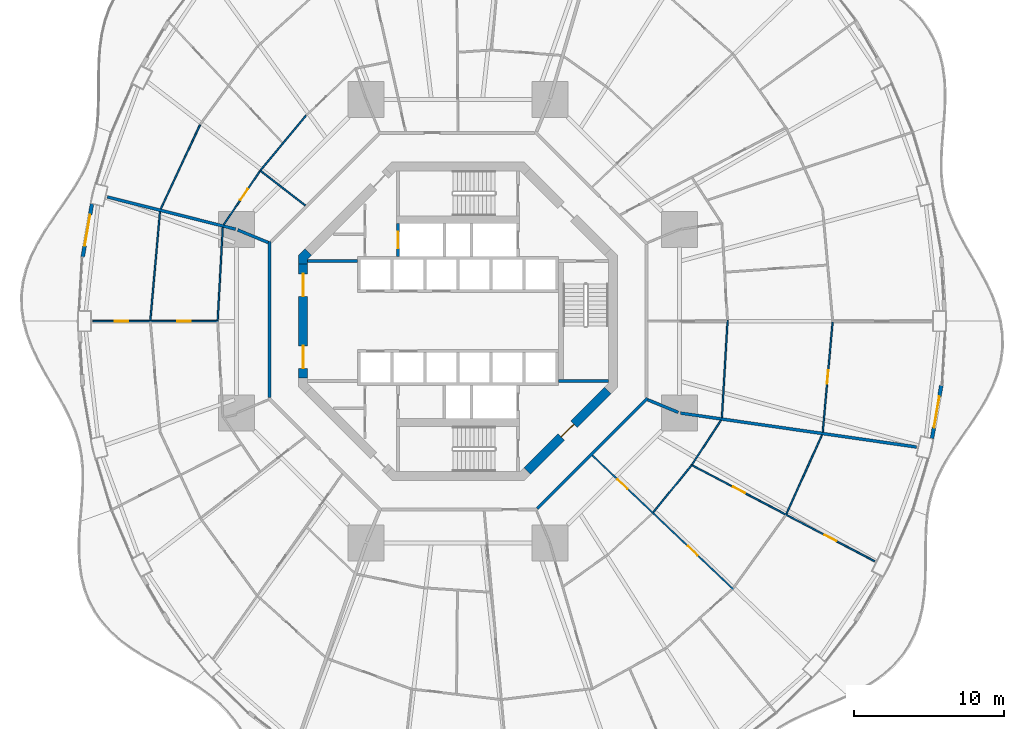
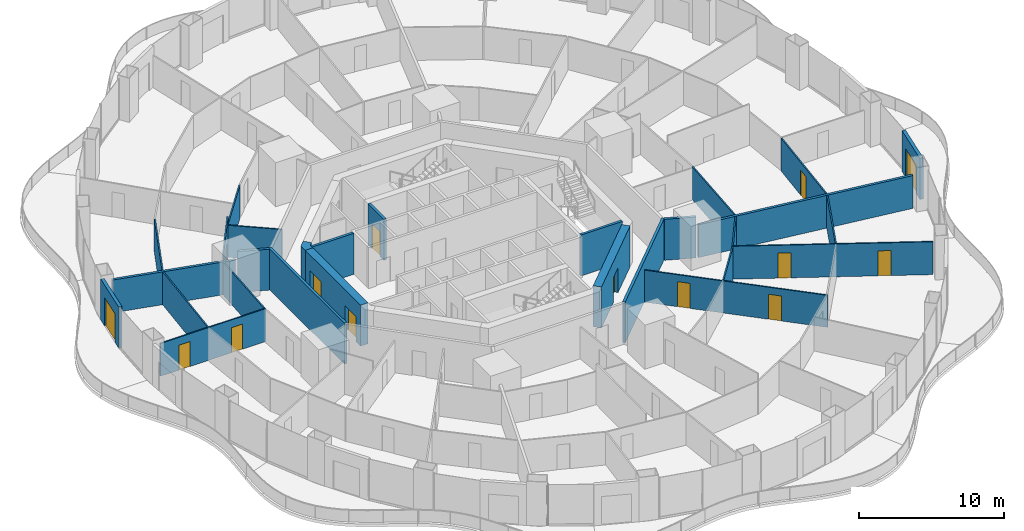
# One storey, part 16 of 22: 28 walls, 14 doors, 14 openings.
"""IFC4 building model written with IfcOpenShell, lengths in metres."""

import ifcopenshell
import ifcopenshell.guid

model = None  # the IFC model being written
_history = None  # IfcOwnerHistory: only IFC2X3 demands one
_inside = {}  # id of a spatial element -> (the spatial element, [elements in it])
_under = {}  # id of a project, library or spatial element -> (it, [spatial elements below it])
_declared = {}  # id of a project -> (the project, [libraries it declares])
_typed = {}  # id of a type object -> (the type object, [elements of that type])
_made_of = {}  # id of a material, layer set ... -> (it, [elements and type objects made of it])


def new_model(schema):
    """Start an empty IFC model of exactly this schema.

    Asked for "IFC4X3", IfcOpenShell would pick the latest addendum, in which some entities
    have other attributes; the version numbers below select the first issue.
    IFC2X3 requires an IfcOwnerHistory on every rooted entity: one is made here for all.
    """
    global model, _history
    if schema == "IFC4X3":
        model = ifcopenshell.file(schema_version=(4, 3, 0, 0))
    else:
        model = ifcopenshell.file(schema=schema)
    _inside.clear()
    _under.clear()
    _declared.clear()
    _typed.clear()
    _made_of.clear()
    _history = None
    if model.schema == "IFC2X3":
        org = make("IfcOrganization", Name="unknown")
        user = make(
            "IfcPersonAndOrganization",
            ThePerson=make("IfcPerson", FamilyName="unknown"),
            TheOrganization=org,
        )
        app = make(
            "IfcApplication",
            ApplicationDeveloper=org,
            Version="unknown",
            ApplicationFullName="unknown",
            ApplicationIdentifier="unknown",
        )
        _history = make(
            "IfcOwnerHistory",
            OwningUser=user,
            OwningApplication=app,
            ChangeAction="ADDED",
            CreationDate=0,
        )
    return model


def make(cls, **values):
    """One entity of the class cls with the attributes given. An attribute that is None is left unset."""
    return model.create_entity(
        cls, **{name: value for name, value in values.items() if value is not None}
    )


def rooted(cls, **values):
    """An entity with a GlobalId (a new one), such as an element, a storey or a relation."""
    return make(cls, GlobalId=ifcopenshell.guid.new(), OwnerHistory=_history, **values)


def si_unit(unit_type, name, prefix=None):
    """IfcSIUnit, for example si_unit("LENGTHUNIT", "METRE", prefix="MILLI")."""
    return make("IfcSIUnit", UnitType=unit_type, Prefix=prefix, Name=name)


def assignment(units):
    """IfcUnitAssignment: the units of a project."""
    return None if units is None else make("IfcUnitAssignment", Units=units)


def point(xyz):
    """IfcCartesianPoint."""
    return None if xyz is None else make("IfcCartesianPoint", Coordinates=xyz)


def direction(xyz):
    """IfcDirection."""
    return None if xyz is None else make("IfcDirection", DirectionRatios=xyz)


def frame(location, z_axis=None, x_axis=None):
    """IfcAxis2Placement3D, a coordinate frame: its origin and axes. An axis left out is left unset."""
    return make(
        "IfcAxis2Placement3D",
        Location=point(location),
        Axis=direction(z_axis),
        RefDirection=direction(x_axis),
    )


def frame_2d(location, x_axis=None):
    """IfcAxis2Placement2D, a coordinate frame in the plane: its origin and x axis."""
    return make(
        "IfcAxis2Placement2D", Location=point(location), RefDirection=direction(x_axis)
    )


def origin():
    """The frame at (0, 0, 0) with its axes left unset."""
    return frame((0.0, 0.0, 0.0))


def place(relative_to, where):
    """IfcLocalPlacement: puts the frame where relative to a parent placement (None: the world)."""
    return make(
        "IfcLocalPlacement", PlacementRelTo=relative_to, RelativePlacement=where
    )


def context(
    kind, dimensions, precision=None, world=None, true_north=None, identifier=None
):
    """IfcGeometricRepresentationContext, for example the 3D "Model" context."""
    return make(
        "IfcGeometricRepresentationContext",
        ContextIdentifier=identifier,
        ContextType=kind,
        CoordinateSpaceDimension=dimensions,
        Precision=precision,
        WorldCoordinateSystem=world,
        TrueNorth=true_north,
    )


def subcontext(parent, identifier, kind, view, scale=None):
    """IfcGeometricRepresentationSubContext, for example "Body" below "Model"."""
    return make(
        "IfcGeometricRepresentationSubContext",
        ContextIdentifier=identifier,
        ContextType=kind,
        ParentContext=parent,
        TargetScale=scale,
        TargetView=view,
    )


def project(units=None, contexts=None):
    """IfcProject with its units and contexts."""
    return rooted(
        "IfcProject",
        Name="project",
        RepresentationContexts=contexts,
        UnitsInContext=assignment(units),
    )


def spatial(cls, under=None, at=None, **own):
    """A site, building, storey or space (cls), placed at a placement, below another one or the project."""
    s = rooted(cls, ObjectPlacement=at, **own)
    if under is not None:
        _under.setdefault(under.id(), (under, []))[1].append(s)
    return s


def polyline(points):
    """IfcPolyline through the points."""
    return make("IfcPolyline", Points=[point(p) for p in points])


def profile(cls, at=None, kind="AREA", **sizes):
    """A parametric profile (cls). Its sizes go by their IFC names, for example OverallWidth=200.0."""
    return make(cls, ProfileType=kind, Position=at, **sizes)


def rectangle(**sizes):
    """IfcRectangleProfileDef."""
    return profile("IfcRectangleProfileDef", **sizes)


def outline(outer, holes=None, kind="AREA"):
    """IfcArbitraryClosedProfileDef: a profile drawn as a closed curve; with holes, ...WithVoids."""
    if holes is None:
        return make("IfcArbitraryClosedProfileDef", ProfileType=kind, OuterCurve=outer)
    return make(
        "IfcArbitraryProfileDefWithVoids",
        ProfileType=kind,
        OuterCurve=outer,
        InnerCurves=holes,
    )


def extrude(swept, where, along, depth):
    """IfcExtrudedAreaSolid: the profile swept, set in the frame where, extruded along a direction by depth."""
    return make(
        "IfcExtrudedAreaSolid",
        SweptArea=swept,
        Position=where,
        ExtrudedDirection=direction(along),
        Depth=depth,
    )


def shape(context_of_items, identifier, shape_type, items):
    """IfcShapeRepresentation: the items that make up one representation, for example the "Body"."""
    return make(
        "IfcShapeRepresentation",
        ContextOfItems=context_of_items,
        RepresentationIdentifier=identifier,
        RepresentationType=shape_type,
        Items=items,
    )


def material(Name=None, Category=None):
    """IfcMaterial."""
    return make("IfcMaterial", Name=Name, Category=Category)


def layer(
    of_material, thickness, ventilated=None, Name=None, Category=None, Priority=None
):
    """IfcMaterialLayer: one layer of a wall or slab, of a material (None: an air gap)."""
    return make(
        "IfcMaterialLayer",
        Material=of_material,
        LayerThickness=thickness,
        IsVentilated=ventilated,
        Name=Name,
        Category=Category,
        Priority=Priority,
    )


def layer_set(layers, Name=None):
    """IfcMaterialLayerSet."""
    return make("IfcMaterialLayerSet", MaterialLayers=layers, LayerSetName=Name)


def made_of(thing, what):
    """Note that an element or type object is made of a material, layer set ...; save() writes the relation."""
    if what is not None:
        _made_of.setdefault(what.id(), (what, []))[1].append(thing)
    return thing


def type_object(cls, material=None, **own):
    """A type object (cls), such as IfcWallType, which elements share."""
    return made_of(rooted(cls, **own), material)


def element(
    cls,
    number,
    at=None,
    inside=None,
    cuts=None,
    type_object=None,
    material=None,
    context=None,
    identifier="Body",
    shape_type=None,
    held_by="IfcProductDefinitionShape",
    body=None,
    shapes=None,
    **own,
):
    """One element of the class cls, such as IfcWall. Its Tag is "e" and its number.

    at: its placement. inside: the storey or other place that contains it. cuts: it is an
    opening in that element (IfcRelVoidsElement). A single representation is given by context,
    identifier, shape_type and body (its items); several are given by shapes. held_by: the class
    of the entity that holds the representations. save() writes the other relations.
    """
    e = rooted(cls, Tag="e%d" % number, ObjectPlacement=at, **own)
    if body is not None:
        shapes = [shape(context, identifier, shape_type, body)]
    if shapes is not None:
        e.Representation = make(held_by, Representations=shapes)
    if inside is not None:
        _inside.setdefault(inside.id(), (inside, []))[1].append(e)
    if cuts is not None:
        rooted(
            "IfcRelVoidsElement", RelatingBuildingElement=cuts, RelatedOpeningElement=e
        )
    if type_object is not None:
        _typed.setdefault(type_object.id(), (type_object, []))[1].append(e)
    return made_of(e, material)


def fill(opening, filler):
    """IfcRelFillsElement: the door or window that sits in an opening."""
    return rooted(
        "IfcRelFillsElement",
        RelatingOpeningElement=opening,
        RelatedBuildingElement=filler,
    )


def aggregate(whole, parts):
    """IfcRelAggregates: a whole, such as a stair, and the parts it consists of."""
    return rooted("IfcRelAggregates", RelatingObject=whole, RelatedObjects=parts)


def save(model, path):
    """Write the relations noted so far, then the file.

    IfcRelAggregates (storeys below a building ...), IfcRelContainedInSpatialStructure (elements
    in a storey), IfcRelDefinesByType, IfcRelAssociatesMaterial and IfcRelDeclares: one each for
    every whole, place, type object, material and project.
    """
    for whole, parts in _under.values():
        aggregate(whole, parts)
    for where, things in _inside.values():
        rooted(
            "IfcRelContainedInSpatialStructure",
            RelatedElements=things,
            RelatingStructure=where,
        )
    for kind, things in _typed.values():
        rooted("IfcRelDefinesByType", RelatedObjects=things, RelatingType=kind)
    for what, things in _made_of.values():
        rooted("IfcRelAssociatesMaterial", RelatedObjects=things, RelatingMaterial=what)
    for by, libraries in _declared.values():
        rooted("IfcRelDeclares", RelatingContext=by, RelatedDefinitions=libraries)
    model.write(path)


model = new_model("IFC4")

# Units and contexts
model_context = context("Model", 3, precision=1e-05, world=origin(), true_north=direction((0.0, 1.0)))
body_context = subcontext(model_context, "Body", "Model", "MODEL_VIEW")
ifc_project = project(units=[si_unit("LENGTHUNIT", "METRE"), si_unit("AREAUNIT", "SQUARE_METRE"), si_unit("VOLUMEUNIT", "CUBIC_METRE"), si_unit("PLANEANGLEUNIT", "RADIAN"), si_unit("MASSUNIT", "GRAM", prefix="KILO")], contexts=[model_context])

# Site, building, storey
site_placement = place(None, origin())
site = spatial("IfcSite", under=ifc_project, at=site_placement, CompositionType="ELEMENT")
building_placement = place(site_placement, origin())
building = spatial("IfcBuilding", under=site, at=building_placement, Name="Nagisa Residences", CompositionType="ELEMENT")
storey_placement = place(building_placement, frame((0.0, 0.0, 34.39990234375)))
storey = spatial("IfcBuildingStorey", under=building, at=storey_placement, Name="L07", CompositionType="ELEMENT", Elevation=34.39990234375)

# Walls
ifc_material_1 = material(Name="Gypsum board on steel studs", Category="steel")
ifc_layer_1 = layer(ifc_material_1, 0.199951171875)
ifc_layer_set_1 = layer_set([ifc_layer_1], Name="Apartment compartment wall EI60 200")
wall_type_1 = type_object("IfcWallType", Name="Apartment compartment wall EI60 200", PredefinedType="PARTITIONING", material=ifc_layer_set_1)
wall_1_placement = place(storey_placement, frame((-12.6572265625, 5.24267578125, 0.0), z_axis=(0.0, 0.0, 1.0), x_axis=(-0.923885664896, 0.382668627144, 0.0)))
element("IfcWall", 1, at=wall_1_placement, inside=storey, type_object=wall_type_1, Name="wall:L07:u02", PredefinedType="PARTITIONING", context=body_context, shape_type="SweptSolid", body=[
    extrude(rectangle(XDim=2.200439453125, YDim=0.199951171875, at=frame_2d((1.10009765625, 0.0))), origin(), (0.0, 0.0, 1.0), 3.440185546875),
])
wall_2_placement = place(storey_placement, frame((-14.83056640625, 6.135009765625, 0.0), z_axis=(0.0, 0.0, 1.0), x_axis=(-0.969884949569, 0.243563512454, 0.0)))
element("IfcWall", 2, at=wall_2_placement, inside=storey, type_object=wall_type_1, Name="wall:L07:u03", PredefinedType="PARTITIONING", context=body_context, shape_type="SweptSolid", body=[
    extrude(rectangle(XDim=8.828857421875, YDim=0.199951171875, at=frame_2d((4.41455078125, 0.0))), origin(), (0.0, 0.0, 1.0), 2.756103515625),
])
wall_3_placement = place(storey_placement, frame((12.6572265625, -5.24267578125, 0.0), z_axis=(0.0, 0.0, 1.0), x_axis=(0.923853160736, -0.382747093259, 0.0)))
element("IfcWall", 3, at=wall_3_placement, inside=storey, type_object=wall_type_1, Name="wall:L07:u06", PredefinedType="PARTITIONING", context=body_context, shape_type="SweptSolid", body=[
    extrude(rectangle(XDim=2.199951171875, YDim=0.199951171875, at=frame_2d((1.10009765625, 0.0))), origin(), (0.0, 0.0, 1.0), 3.440185546875),
])
wall_4_placement = place(storey_placement, frame((14.83154296875, -6.130126953125, 0.0), z_axis=(0.0, 0.0, 1.0), x_axis=(0.989836541293, -0.142209779978, 0.0)))
element("IfcWall", 4, at=wall_4_placement, inside=storey, type_object=wall_type_1, Name="wall:L07:u07", PredefinedType="PARTITIONING", context=body_context, shape_type="SweptSolid", body=[
    extrude(rectangle(XDim=15.9091796875, YDim=0.199951171875, at=frame_2d((7.95458984375, 0.0))), origin(), (0.0, 0.0, 1.0), 2.756103515625),
])
ifc_material_2 = material(Name="Gypsum board on steel studs", Category="steel")
ifc_layer_2 = layer(ifc_material_2, 0.199951171875)
ifc_layer_set_2 = layer_set([ifc_layer_2], Name="Apartment entry wall EI60 200")
wall_type_2 = type_object("IfcWallType", Name="Apartment entry wall EI60 200", PredefinedType="PARTITIONING", material=ifc_layer_set_2)
wall_5_placement = place(storey_placement, frame((-12.564697265625, 5.304443359375, 0.0), z_axis=(0.0, 0.0, 1.0), x_axis=(0.0, -1.0, 0.0)))
element("IfcWall", 5, at=wall_5_placement, inside=storey, type_object=wall_type_2, Name="wall:L07:u12", PredefinedType="PARTITIONING", context=body_context, shape_type="SweptSolid", body=[
    extrude(rectangle(XDim=10.408935546875, YDim=0.199951171875, at=frame_2d((5.20458984375, 0.0))), origin(), (0.0, 0.0, 1.0), 3.440185546875),
])
wall_6_placement = place(storey_placement, frame((5.275146484375, -12.494140625, 0.0), z_axis=(0.0, 0.0, 1.0), x_axis=(0.707106781187, 0.707106781187, 0.0)))
element("IfcWall", 6, at=wall_6_placement, inside=storey, type_object=wall_type_2, Name="wall:L07:u15", PredefinedType="PARTITIONING", context=body_context, shape_type="SweptSolid", body=[
    extrude(rectangle(XDim=10.4091796875, YDim=0.199951171875, at=frame_2d((5.20458984375, 0.0))), origin(), (0.0, 0.0, 1.0), 3.440185546875),
])
ifc_material_3 = material(Name="Gypsum board on steel studs", Category="steel")
ifc_layer_3 = layer(ifc_material_3, 0.10009765625)
ifc_layer_set_3 = layer_set([ifc_layer_3], Name="Apartment partition 100")
wall_type_3 = type_object("IfcWallType", Name="Apartment partition 100", PredefinedType="PARTITIONING", material=ifc_layer_set_3)
wall_7_placement = place(storey_placement, frame((17.977294921875, 0.0498046875, 0.0), z_axis=(0.0, 0.0, 1.0), x_axis=(-0.058516864568, -0.998286420103, 0.0)))
element("IfcWall", 7, at=wall_7_placement, inside=storey, type_object=wall_type_3, Name="wall:L07:u18", PredefinedType="PARTITIONING", context=body_context, shape_type="SweptSolid", body=[
    extrude(rectangle(XDim=6.48779296875, YDim=0.10009765625, at=frame_2d((3.243896484375, 0.0))), origin(), (0.0, 0.0, 1.0), 2.756103515625),
])

# Wall, opening, door
wall_8_placement = place(storey_placement, frame((24.982177734375, -0.0498046875, 0.0), z_axis=(0.0, 0.0, 1.0), x_axis=(-0.08944290521, -0.995991951126, 0.0)))
wall_8 = element("IfcWall", 8, at=wall_8_placement, inside=storey, type_object=wall_type_3, Name="wall:L07:u21", PredefinedType="PARTITIONING", context=body_context, shape_type="SweptSolid", body=[
    extrude(rectangle(XDim=7.37255859375, YDim=0.10009765625, at=frame_2d((3.686279296875, 0.0))), origin(), (0.0, 0.0, 1.0), 2.756103515625),
])
opening_1_placement = place(wall_8_placement, frame((3.236328125, 0.0, 0.0)))
opening_1 = element("IfcOpeningElement", 9, at=opening_1_placement, cuts=wall_8, Name="Opening L07-U12", PredefinedType="OPENING", context=body_context, shape_type="SweptSolid", body=[
    extrude(rectangle(XDim=0.89990234375, YDim=2.10009765625, at=frame_2d((0.449951171875, 1.050048828125))), frame((0.0, 0.06005859375, 0.0), z_axis=(0.0, -1.0, 0.0), x_axis=(1.0, 0.0, 0.0)), (0.0, 0.0, 1.0), 0.1201171875),
])
ifc_material_4 = material(Name="Timber door set", Category="wood")
door_type_1 = type_object("IfcDoorType", Name="Apartment door 900x2100", OperationType="NOTDEFINED", PredefinedType="DOOR", material=ifc_material_4)
door_1_placement = place(opening_1_placement, origin())
door_1 = element("IfcDoor", 10, at=door_1_placement, inside=storey, type_object=door_type_1, Name="Door to living room, Apartment 07A", OperationType="SINGLE_SWING_RIGHT", OverallHeight=2.10009765625, OverallWidth=0.89990234375, PredefinedType="DOOR", context=body_context, shape_type="SweptSolid", body=[
    extrude(rectangle(XDim=0.89990234375, YDim=2.10009765625, at=frame_2d((0.449951171875, 1.050048828125))), frame((0.0, 0.02490234375, 0.0), z_axis=(0.0, -1.0, 0.0), x_axis=(1.0, 0.0, 0.0)), (0.0, 0.0, 1.0), 0.050048828125),
])
fill(opening_1, door_1)

# Walls
wall_9_placement = place(storey_placement, frame((-10.122802734375, 13.719970703125, 0.0), z_axis=(0.0, 0.0, 1.0), x_axis=(-0.64083455704, -0.767679015282, 0.0)))
element("IfcWall", 11, at=wall_9_placement, inside=storey, type_object=wall_type_3, Name="wall:L07:u50", PredefinedType="PARTITIONING", context=body_context, shape_type="SweptSolid", body=[
    extrude(rectangle(XDim=4.8369140625, YDim=0.10009765625, at=frame_2d((2.41845703125, 0.0))), origin(), (0.0, 0.0, 1.0), 2.756103515625),
])
wall_10_placement = place(storey_placement, frame((-10.1904296875, 7.71923828125, 0.0), z_axis=(0.0, 0.0, 1.0), x_axis=(-0.790253294643, 0.612780327937, 0.0)))
element("IfcWall", 12, at=wall_10_placement, inside=storey, type_object=wall_type_3, Name="wall:L07:u53", PredefinedType="PARTITIONING", context=body_context, shape_type="SweptSolid", body=[
    extrude(rectangle(XDim=3.745849609375, YDim=0.10009765625, at=frame_2d((1.873046875, 0.0))), origin(), (0.0, 0.0, 1.0), 2.68701171875),
])

# Wall, opening, door
wall_11_placement = place(storey_placement, frame((-13.21826171875, 10.00390625, 0.0), z_axis=(0.0, 0.0, 1.0), x_axis=(-0.559112679527, -0.829091678641, 0.0)))
wall_11 = element("IfcWall", 13, at=wall_11_placement, inside=storey, type_object=wall_type_3, Name="wall:L07:u54", PredefinedType="PARTITIONING", context=body_context, shape_type="SweptSolid", body=[
    extrude(rectangle(XDim=4.30810546875, YDim=0.10009765625, at=frame_2d((2.154052734375, 0.0))), origin(), (0.0, 0.0, 1.0), 3.440185546875),
])
opening_2_placement = place(wall_11_placement, frame((1.43310546875, 0.0, 0.0)))
opening_2 = element("IfcOpeningElement", 14, at=opening_2_placement, cuts=wall_11, Name="Opening L07-U27", PredefinedType="OPENING", context=body_context, shape_type="SweptSolid", body=[
    extrude(rectangle(XDim=0.89990234375, YDim=2.10009765625, at=frame_2d((0.449951171875, 1.050048828125))), frame((0.0, 0.06005859375, 0.0), z_axis=(0.0, -1.0, 0.0), x_axis=(1.0, 0.0, 0.0)), (0.0, 0.0, 1.0), 0.1201171875),
])
door_2_placement = place(opening_2_placement, origin())
door_2 = element("IfcDoor", 15, at=door_2_placement, inside=storey, type_object=door_type_1, Name="Door to laundry, Apartment 07B", OperationType="SINGLE_SWING_LEFT", OverallHeight=2.10009765625, OverallWidth=0.89990234375, PredefinedType="DOOR", context=body_context, shape_type="SweptSolid", body=[
    extrude(rectangle(XDim=0.89990234375, YDim=2.10009765625, at=frame_2d((0.449951171875, 1.050048828125))), frame((0.0, 0.02490234375, 0.0), z_axis=(0.0, -1.0, 0.0), x_axis=(1.0, 0.0, 0.0)), (0.0, 0.0, 1.0), 0.050048828125),
])
fill(opening_2, door_2)

# Walls
wall_12_placement = place(storey_placement, frame((-17.20263671875, 13.0947265625, 0.0), z_axis=(0.0, 0.0, 1.0), x_axis=(-0.423926333401, -0.905696673202, 0.0)))
element("IfcWall", 16, at=wall_12_placement, inside=storey, type_object=wall_type_3, Name="wall:L07:u55", PredefinedType="PARTITIONING", context=body_context, shape_type="SweptSolid", body=[
    extrude(rectangle(XDim=6.1875, YDim=0.10009765625, at=frame_2d((3.09375, 0.0))), origin(), (0.0, 0.0, 1.0), 2.756103515625),
])
wall_13_placement = place(storey_placement, frame((-15.688232421875, 6.249267578125, 0.0), z_axis=(0.0, 0.0, 1.0), x_axis=(-0.054659814056, -0.998505034903, 0.0)))
element("IfcWall", 17, at=wall_13_placement, inside=storey, type_object=wall_type_3, Name="wall:L07:u56", PredefinedType="PARTITIONING", context=body_context, shape_type="SweptSolid", body=[
    extrude(rectangle(XDim=6.20849609375, YDim=0.10009765625, at=frame_2d((3.104248046875, 0.0))), origin(), (0.0, 0.0, 1.0), 2.756103515625),
])
wall_14_placement = place(storey_placement, frame((-19.876708984375, 7.300537109375, 0.0), z_axis=(0.0, 0.0, 1.0), x_axis=(-0.088143415068, -0.996107794558, 0.0)))
element("IfcWall", 18, at=wall_14_placement, inside=storey, type_object=wall_type_3, Name="wall:L07:u57", PredefinedType="PARTITIONING", context=body_context, shape_type="SweptSolid", body=[
    extrude(rectangle(XDim=7.279052734375, YDim=0.10009765625, at=frame_2d((3.6396484375, 0.0))), origin(), (0.0, 0.0, 1.0), 2.756103515625),
])

# Wall, openings, doors
wall_15_placement = place(storey_placement, frame((-15.980224609375, 0.0, 0.0), z_axis=(0.0, 0.0, 1.0), x_axis=(-1.0, 0.0, 0.0)))
wall_15 = element("IfcWall", 19, at=wall_15_placement, inside=storey, type_object=wall_type_3, Name="wall:L07:u58", PredefinedType="PARTITIONING", context=body_context, shape_type="SweptSolid", body=[
    extrude(rectangle(XDim=8.369873046875, YDim=0.10009765625, at=frame_2d((4.18505859375, 0.0))), origin(), (0.0, 0.0, 1.0), 2.756103515625),
])
opening_3_placement = place(wall_15_placement, frame((6.006103515625, 0.0, 0.0)))
opening_3 = element("IfcOpeningElement", 20, at=opening_3_placement, cuts=wall_15, Name="Opening L07-U37", PredefinedType="OPENING", context=body_context, shape_type="SweptSolid", body=[
    extrude(rectangle(XDim=0.89990234375, YDim=2.10009765625, at=frame_2d((0.449951171875, 1.050048828125))), frame((0.0, 0.06005859375, 0.0), z_axis=(0.0, -1.0, 0.0), x_axis=(1.0, 0.0, 0.0)), (0.0, 0.0, 1.0), 0.1201171875),
])
opening_4_placement = place(wall_15_placement, frame((1.84619140625, 0.0, 0.0)))
opening_4 = element("IfcOpeningElement", 21, at=opening_4_placement, cuts=wall_15, Name="Opening L07-U39", PredefinedType="OPENING", context=body_context, shape_type="SweptSolid", body=[
    extrude(rectangle(XDim=0.89990234375, YDim=2.10009765625, at=frame_2d((0.449951171875, 1.050048828125))), frame((0.0, 0.06005859375, 0.0), z_axis=(0.0, -1.0, 0.0), x_axis=(1.0, 0.0, 0.0)), (0.0, 0.0, 1.0), 0.1201171875),
])
door_3_placement = place(opening_3_placement, frame((0.89990234375, 0.0, 0.0), x_axis=(-1.0, 0.0, 0.0)))
door_3 = element("IfcDoor", 22, at=door_3_placement, inside=storey, type_object=door_type_1, Name="Door to bedroom, Apartment 07C", OperationType="SINGLE_SWING_RIGHT", OverallHeight=2.10009765625, OverallWidth=0.89990234375, PredefinedType="DOOR", context=body_context, shape_type="SweptSolid", body=[
    extrude(rectangle(XDim=0.89990234375, YDim=2.10009765625, at=frame_2d((0.449951171875, 1.050048828125))), frame((0.0, 0.02490234375, 0.0), z_axis=(0.0, -1.0, 0.0), x_axis=(1.0, 0.0, 0.0)), (0.0, 0.0, 1.0), 0.050048828125),
])
fill(opening_3, door_3)
door_4_placement = place(opening_4_placement, frame((0.89990234375, 0.0, 0.0), x_axis=(-1.0, 0.0, 0.0)))
door_4 = element("IfcDoor", 23, at=door_4_placement, inside=storey, type_object=door_type_1, Name="Door to kitchen, Apartment 07C", OperationType="SINGLE_SWING_RIGHT", OverallHeight=2.10009765625, OverallWidth=0.89990234375, PredefinedType="DOOR", context=body_context, shape_type="SweptSolid", body=[
    extrude(rectangle(XDim=0.89990234375, YDim=2.10009765625, at=frame_2d((0.449951171875, 1.050048828125))), frame((0.0, 0.02490234375, 0.0), z_axis=(0.0, -1.0, 0.0), x_axis=(1.0, 0.0, 0.0)), (0.0, 0.0, 1.0), 0.050048828125),
])
fill(opening_4, door_4)

wall_16_placement = place(storey_placement, frame((8.95703125, -8.953369140625, 0.0), z_axis=(0.0, 0.0, 1.0), x_axis=(0.725250022034, -0.688485588476, 0.0)))
wall_16 = element("IfcWall", 24, at=wall_16_placement, inside=storey, type_object=wall_type_3, Name="wall:L07:u86", PredefinedType="PARTITIONING", context=body_context, shape_type="SweptSolid", body=[
    extrude(rectangle(XDim=12.962646484375, YDim=0.10009765625, at=frame_2d((6.4814453125, 0.0))), origin(), (0.0, 0.0, 1.0), 2.68701171875),
])
opening_5_placement = place(wall_16_placement, frame((2.33349609375, 0.0, 0.0)))
opening_5 = element("IfcOpeningElement", 25, at=opening_5_placement, cuts=wall_16, Name="Opening L07-U43", PredefinedType="OPENING", context=body_context, shape_type="SweptSolid", body=[
    extrude(rectangle(XDim=0.89990234375, YDim=2.10009765625, at=frame_2d((0.449951171875, 1.050048828125))), frame((0.0, 0.06005859375, 0.0), z_axis=(0.0, -1.0, 0.0), x_axis=(1.0, 0.0, 0.0)), (0.0, 0.0, 1.0), 0.1201171875),
])
opening_6_placement = place(wall_16_placement, frame((8.78955078125, 0.0, 0.0)))
opening_6 = element("IfcOpeningElement", 26, at=opening_6_placement, cuts=wall_16, Name="Opening L07-U47", PredefinedType="OPENING", context=body_context, shape_type="SweptSolid", body=[
    extrude(rectangle(XDim=0.89990234375, YDim=2.10009765625, at=frame_2d((0.449951171875, 1.050048828125))), frame((0.0, 0.06005859375, 0.0), z_axis=(0.0, -1.0, 0.0), x_axis=(1.0, 0.0, 0.0)), (0.0, 0.0, 1.0), 0.1201171875),
])
door_5_placement = place(opening_5_placement, origin())
door_5 = element("IfcDoor", 27, at=door_5_placement, inside=storey, type_object=door_type_1, Name="Door to laundry, Apartment 07D", OperationType="SINGLE_SWING_LEFT", OverallHeight=2.10009765625, OverallWidth=0.89990234375, PredefinedType="DOOR", context=body_context, shape_type="SweptSolid", body=[
    extrude(rectangle(XDim=0.89990234375, YDim=2.10009765625, at=frame_2d((0.449951171875, 1.050048828125))), frame((0.0, 0.02490234375, 0.0), z_axis=(0.0, -1.0, 0.0), x_axis=(1.0, 0.0, 0.0)), (0.0, 0.0, 1.0), 0.050048828125),
])
fill(opening_5, door_5)
door_6_placement = place(opening_6_placement, origin())
door_6 = element("IfcDoor", 28, at=door_6_placement, inside=storey, type_object=door_type_1, Name="Door to study, Apartment 07D", OperationType="SINGLE_SWING_LEFT", OverallHeight=2.10009765625, OverallWidth=0.89990234375, PredefinedType="DOOR", context=body_context, shape_type="SweptSolid", body=[
    extrude(rectangle(XDim=0.89990234375, YDim=2.10009765625, at=frame_2d((0.449951171875, 1.050048828125))), frame((0.0, 0.02490234375, 0.0), z_axis=(0.0, -1.0, 0.0), x_axis=(1.0, 0.0, 0.0)), (0.0, 0.0, 1.0), 0.050048828125),
])
fill(opening_6, door_6)

# Wall
wall_17_placement = place(storey_placement, frame((13.02587890625, -12.747314453125, 0.0), z_axis=(0.0, 0.0, 1.0), x_axis=(0.630126826288, 0.776492229705, 0.0)))
element("IfcWall", 29, at=wall_17_placement, inside=storey, type_object=wall_type_3, Name="wall:L07:u87", PredefinedType="PARTITIONING", context=body_context, shape_type="SweptSolid", body=[
    extrude(rectangle(XDim=4.006591796875, YDim=0.10009765625, at=frame_2d((2.00341796875, 0.0))), origin(), (0.0, 0.0, 1.0), 2.756103515625),
])

# Wall, openings, doors
wall_18_placement = place(storey_placement, frame((15.537841796875, -9.57421875, 0.0), z_axis=(0.0, 0.0, 1.0), x_axis=(0.885181406501, -0.465246039838, 0.0)))
wall_18 = element("IfcWall", 30, at=wall_18_placement, inside=storey, type_object=wall_type_3, Name="wall:L07:u89", PredefinedType="PARTITIONING", context=body_context, shape_type="SweptSolid", body=[
    extrude(rectangle(XDim=13.836669921875, YDim=0.10009765625, at=frame_2d((6.91845703125, 0.0))), origin(), (0.0, 0.0, 1.0), 2.756103515625),
])
opening_7_placement = place(wall_18_placement, frame((3.156494140625, 0.0, 0.0)))
opening_7 = element("IfcOpeningElement", 31, at=opening_7_placement, cuts=wall_18, Name="Opening L07-U48", PredefinedType="OPENING", context=body_context, shape_type="SweptSolid", body=[
    extrude(rectangle(XDim=0.89990234375, YDim=2.10009765625, at=frame_2d((0.449951171875, 1.050048828125))), frame((0.0, 0.06005859375, 0.0), z_axis=(0.0, -1.0, 0.0), x_axis=(1.0, 0.0, 0.0)), (0.0, 0.0, 1.0), 0.1201171875),
])
opening_8_placement = place(wall_18_placement, frame((10.050048828125, 0.0, 0.0)))
opening_8 = element("IfcOpeningElement", 32, at=opening_8_placement, cuts=wall_18, Name="Opening L07-U54", PredefinedType="OPENING", context=body_context, shape_type="SweptSolid", body=[
    extrude(rectangle(XDim=0.89990234375, YDim=2.10009765625, at=frame_2d((0.449951171875, 1.050048828125))), frame((0.0, 0.06005859375, 0.0), z_axis=(0.0, -1.0, 0.0), x_axis=(1.0, 0.0, 0.0)), (0.0, 0.0, 1.0), 0.1201171875),
])
door_7_placement = place(opening_7_placement, origin())
door_7 = element("IfcDoor", 33, at=door_7_placement, inside=storey, type_object=door_type_1, Name="Door to kitchen, Apartment 07D", OperationType="SINGLE_SWING_RIGHT", OverallHeight=2.10009765625, OverallWidth=0.89990234375, PredefinedType="DOOR", context=body_context, shape_type="SweptSolid", body=[
    extrude(rectangle(XDim=0.89990234375, YDim=2.10009765625, at=frame_2d((0.449951171875, 1.050048828125))), frame((0.0, 0.02490234375, 0.0), z_axis=(0.0, -1.0, 0.0), x_axis=(1.0, 0.0, 0.0)), (0.0, 0.0, 1.0), 0.050048828125),
])
fill(opening_7, door_7)
door_8_placement = place(opening_8_placement, origin())
door_8 = element("IfcDoor", 34, at=door_8_placement, inside=storey, type_object=door_type_1, Name="Door to master bedroom, Apartment 07D", OperationType="SINGLE_SWING_RIGHT", OverallHeight=2.10009765625, OverallWidth=0.89990234375, PredefinedType="DOOR", context=body_context, shape_type="SweptSolid", body=[
    extrude(rectangle(XDim=0.89990234375, YDim=2.10009765625, at=frame_2d((0.449951171875, 1.050048828125))), frame((0.0, 0.02490234375, 0.0), z_axis=(0.0, -1.0, 0.0), x_axis=(1.0, 0.0, 0.0)), (0.0, 0.0, 1.0), 0.050048828125),
])
fill(opening_8, door_8)

# Walls
wall_19_placement = place(storey_placement, frame((15.609375, -9.5556640625, 0.0), z_axis=(0.0, 0.0, 1.0), x_axis=(0.547637987196, 0.836715384692, 0.0)))
element("IfcWall", 35, at=wall_19_placement, inside=storey, type_object=wall_type_3, Name="wall:L07:u90", PredefinedType="PARTITIONING", context=body_context, shape_type="SweptSolid", body=[
    extrude(rectangle(XDim=3.52001953125, YDim=0.10009765625, at=frame_2d((1.760009765625, 0.0))), origin(), (0.0, 0.0, 1.0), 2.756103515625),
])
wall_20_placement = place(storey_placement, frame((21.89892578125, -12.861328125, 0.0), z_axis=(0.0, 0.0, 1.0), x_axis=(0.410201529109, 0.911994904326, 0.0)))
element("IfcWall", 36, at=wall_20_placement, inside=storey, type_object=wall_type_3, Name="wall:L07:u91", PredefinedType="PARTITIONING", context=body_context, shape_type="SweptSolid", body=[
    extrude(rectangle(XDim=5.786865234375, YDim=0.10009765625, at=frame_2d((2.8935546875, 0.0))), origin(), (0.0, 0.0, 1.0), 2.756103515625),
])

# Wall, opening, door
ifc_material_5 = material(Name="Precast concrete C40/50", Category="concrete")
ifc_layer_4 = layer(ifc_material_5, 0.25)
ifc_layer_set_4 = layer_set([ifc_layer_4], Name="BALCONY DOOR WALL 250")
wall_type_4 = type_object("IfcWallType", Name="BALCONY DOOR WALL 250", PredefinedType="SOLIDWALL", material=ifc_layer_set_4)
wall_21_placement = place(storey_placement, frame((-25.02880859375, 4.285888671875, 0.0), z_axis=(0.0, 0.0, 1.0), x_axis=(0.172217377323, 0.98505897029, 0.0)))
wall_21 = element("IfcWall", 37, at=wall_21_placement, inside=storey, type_object=wall_type_4, Name="wall:L07:bay22", PredefinedType="SOLIDWALL", context=body_context, shape_type="SweptSolid", body=[
    extrude(rectangle(XDim=3.597900390625, YDim=0.25, at=frame_2d((1.798828125, 0.0))), origin(), (0.0, 0.0, 1.0), 3.440185546875),
])
opening_9_placement = place(wall_21_placement, frame((0.7490234375, 0.0, 0.0)))
opening_9 = element("IfcOpeningElement", 38, at=opening_9_placement, cuts=wall_21, Name="Opening BD-L07-08", PredefinedType="OPENING", context=body_context, shape_type="SweptSolid", body=[
    extrude(rectangle(XDim=2.10009765625, YDim=2.39990234375, at=frame_2d((1.050048828125, 1.199951171875))), frame((0.0, 0.135009765625, 0.0), z_axis=(0.0, -1.0, 0.0), x_axis=(1.0, 0.0, 0.0)), (0.0, 0.0, 1.0), 0.27001953125),
])
ifc_material_6 = material(Name="Aluminium and clear glass", Category="aluminium")
door_type_2 = type_object("IfcDoorType", Name="BALCONY SLIDING DOOR 2100x2400", OperationType="SLIDING_TO_LEFT", PredefinedType="DOOR", material=ifc_material_6)
door_9_placement = place(opening_9_placement, origin())
door_9 = element("IfcDoor", 39, at=door_9_placement, inside=storey, type_object=door_type_2, Name="door:L07:bay22", OperationType="SLIDING_TO_LEFT", OverallHeight=2.39990234375, OverallWidth=2.10009765625, PredefinedType="DOOR", context=body_context, shape_type="SweptSolid", body=[
    extrude(rectangle(XDim=2.10009765625, YDim=2.39990234375, at=frame_2d((1.050048828125, 1.199951171875))), frame((0.0, 0.02490234375, 0.0), z_axis=(0.0, -1.0, 0.0), x_axis=(1.0, 0.0, 0.0)), (0.0, 0.0, 1.0), 0.050048828125),
])
fill(opening_9, door_9)

wall_22_placement = place(storey_placement, frame((32.228759765625, -4.285888671875, 0.0), z_axis=(0.0, 0.0, 1.0), x_axis=(-0.172217377323, -0.98505897029, 0.0)))
wall_22 = element("IfcWall", 40, at=wall_22_placement, inside=storey, type_object=wall_type_4, Name="wall:L07:bay46", PredefinedType="SOLIDWALL", context=body_context, shape_type="SweptSolid", body=[
    extrude(rectangle(XDim=3.597900390625, YDim=0.25, at=frame_2d((1.798828125, 0.0))), origin(), (0.0, 0.0, 1.0), 3.440185546875),
])
opening_10_placement = place(wall_22_placement, frame((0.7490234375, 0.0, 0.0)))
opening_10 = element("IfcOpeningElement", 41, at=opening_10_placement, cuts=wall_22, Name="Opening BD-L07-16", PredefinedType="OPENING", context=body_context, shape_type="SweptSolid", body=[
    extrude(rectangle(XDim=2.10009765625, YDim=2.39990234375, at=frame_2d((1.050048828125, 1.199951171875))), frame((0.0, 0.135009765625, 0.0), z_axis=(0.0, -1.0, 0.0), x_axis=(1.0, 0.0, 0.0)), (0.0, 0.0, 1.0), 0.27001953125),
])
door_10_placement = place(opening_10_placement, origin())
door_10 = element("IfcDoor", 42, at=door_10_placement, inside=storey, type_object=door_type_2, Name="door:L07:bay46", OperationType="SLIDING_TO_LEFT", OverallHeight=2.39990234375, OverallWidth=2.10009765625, PredefinedType="DOOR", context=body_context, shape_type="SweptSolid", body=[
    extrude(rectangle(XDim=2.10009765625, YDim=2.39990234375, at=frame_2d((1.050048828125, 1.199951171875))), frame((0.0, 0.02490234375, 0.0), z_axis=(0.0, -1.0, 0.0), x_axis=(1.0, 0.0, 0.0)), (0.0, 0.0, 1.0), 0.050048828125),
])
fill(opening_10, door_10)

# Wall
ifc_material_7 = material(Name="Gypsum board on steel studs", Category="steel")
ifc_layer_5 = layer(ifc_material_7, 0.199951171875)
ifc_layer_set_5 = layer_set([ifc_layer_5], Name="Core partition 200")
wall_type_5 = type_object("IfcWallType", Name="Core partition 200", PredefinedType="PARTITIONING", material=ifc_layer_set_5)
wall_23_placement = place(storey_placement, frame((-10.024658203125, 4.0, 0.0), z_axis=(0.0, 0.0, 1.0), x_axis=(1.0, 0.0, 0.0)))
element("IfcWall", 43, at=wall_23_placement, inside=storey, type_object=wall_type_5, Name="wall:L07:PNW", PredefinedType="PARTITIONING", context=body_context, shape_type="SweptSolid", body=[
    extrude(rectangle(XDim=3.32470703125, YDim=0.199951171875, at=frame_2d((1.662353515625, 0.0))), origin(), (0.0, 0.0, 1.0), 3.440185546875),
])

# Wall, openings, doors
ifc_material_8 = material(Name="Concrete C60", Category="concrete")
ifc_layer_6 = layer(ifc_material_8, 0.60009765625)
ifc_layer_set_6 = layer_set([ifc_layer_6], Name="Core shear wall 600")
wall_type_6 = type_object("IfcWallType", Name="Core shear wall 600", PredefinedType="SHEAR", material=ifc_layer_set_6)
wall_24_placement = place(storey_placement, frame((-10.32470703125, 3.80078125, 0.0), z_axis=(0.0, 0.0, 1.0), x_axis=(0.0, -1.0, 0.0)))
wall_24 = element("IfcWall", 44, at=wall_24_placement, inside=storey, type_object=wall_type_6, Name="wall:L07:core:flat4", PredefinedType="SHEAR", context=body_context, shape_type="SweptSolid", body=[
    extrude(rectangle(XDim=7.6015625, YDim=0.60009765625, at=frame_2d((3.80078125, 0.0))), origin(), (0.0, 0.0, 1.0), 3.440185546875),
])
opening_11_placement = place(wall_24_placement, frame((0.65087890625, 0.0, 0.0)))
opening_11 = element("IfcOpeningElement", 45, at=opening_11_placement, cuts=wall_24, Name="Opening L07-C19", PredefinedType="OPENING", context=body_context, shape_type="SweptSolid", body=[
    extrude(rectangle(XDim=1.5, YDim=2.10009765625, at=frame_2d((0.75, 1.050048828125))), frame((0.0, 0.31005859375, 0.0), z_axis=(0.0, -1.0, 0.0), x_axis=(1.0, 0.0, 0.0)), (0.0, 0.0, 1.0), 0.6201171875),
])
opening_12_placement = place(wall_24_placement, frame((5.450927734375, 0.0, 0.0)))
opening_12 = element("IfcOpeningElement", 46, at=opening_12_placement, cuts=wall_24, Name="Opening L07-C20", PredefinedType="OPENING", context=body_context, shape_type="SweptSolid", body=[
    extrude(rectangle(XDim=1.5, YDim=2.10009765625, at=frame_2d((0.75, 1.050048828125))), frame((0.0, 0.31005859375, 0.0), z_axis=(0.0, -1.0, 0.0), x_axis=(1.0, 0.0, 0.0)), (0.0, 0.0, 1.0), 0.6201171875),
])
ifc_material_9 = material(Name="Steel fire door", Category="steel")
door_type_3 = type_object("IfcDoorType", Name="Fire door EI60 1500x2100 double door single swing", OperationType="DOUBLE_DOOR_SINGLE_SWING", PredefinedType="DOOR", material=ifc_material_9)
door_11_placement = place(opening_11_placement, origin())
door_11 = element("IfcDoor", 47, at=door_11_placement, inside=storey, type_object=door_type_3, Name="Lift lobby door L07 1", OperationType="DOUBLE_DOOR_SINGLE_SWING", OverallHeight=2.10009765625, OverallWidth=1.5, PredefinedType="DOOR", context=body_context, shape_type="SweptSolid", body=[
    extrude(rectangle(XDim=1.5, YDim=2.10009765625, at=frame_2d((0.75, 1.050048828125))), frame((0.0, 0.02490234375, 0.0), z_axis=(0.0, -1.0, 0.0), x_axis=(1.0, 0.0, 0.0)), (0.0, 0.0, 1.0), 0.050048828125),
])
fill(opening_11, door_11)
door_12_placement = place(opening_12_placement, origin())
door_12 = element("IfcDoor", 48, at=door_12_placement, inside=storey, type_object=door_type_3, Name="Lift lobby door L07 2", OperationType="DOUBLE_DOOR_SINGLE_SWING", OverallHeight=2.10009765625, OverallWidth=1.5, PredefinedType="DOOR", context=body_context, shape_type="SweptSolid", body=[
    extrude(rectangle(XDim=1.5, YDim=2.10009765625, at=frame_2d((0.75, 1.050048828125))), frame((0.0, 0.02490234375, 0.0), z_axis=(0.0, -1.0, 0.0), x_axis=(1.0, 0.0, 0.0)), (0.0, 0.0, 1.0), 0.050048828125),
])
fill(opening_12, door_12)

# Wall, opening, door
wall_25_placement = place(storey_placement, frame((4.613037109375, -9.98828125, 0.0), z_axis=(0.0, 0.0, 1.0), x_axis=(0.707106781187, 0.707106781187, 0.0)))
wall_25 = element("IfcWall", 49, at=wall_25_placement, inside=storey, type_object=wall_type_6, Name="wall:L07:core:flat7", PredefinedType="SHEAR", context=body_context, shape_type="SweptSolid", body=[
    extrude(rectangle(XDim=7.601806640625, YDim=0.60009765625, at=frame_2d((3.80078125, 0.0))), origin(), (0.0, 0.0, 1.0), 3.440185546875),
])
opening_13_placement = place(wall_25_placement, frame((3.200927734375, 0.0, 0.0)))
opening_13 = element("IfcOpeningElement", 50, at=opening_13_placement, cuts=wall_25, Name="Opening L07-C18", PredefinedType="OPENING", context=body_context, shape_type="SweptSolid", body=[
    extrude(rectangle(XDim=1.199951171875, YDim=2.10009765625, at=frame_2d((0.60009765625, 1.050048828125))), frame((0.0, 0.31005859375, 0.0), z_axis=(0.0, -1.0, 0.0), x_axis=(1.0, 0.0, 0.0)), (0.0, 0.0, 1.0), 0.6201171875),
])
ifc_material_10 = material(Name="Steel fire door", Category="steel")
door_type_4 = type_object("IfcDoorType", Name="Fire door EI60 1200x2100 single swing", OperationType="NOTDEFINED", PredefinedType="DOOR", material=ifc_material_10)
door_13_placement = place(opening_13_placement, origin())
door_13 = element("IfcDoor", 51, at=door_13_placement, inside=storey, type_object=door_type_4, Name="Firefighting lobby 2 door L07", OperationType="SINGLE_SWING_RIGHT", OverallHeight=2.10009765625, OverallWidth=1.199951171875, PredefinedType="DOOR", context=body_context, shape_type="SweptSolid", body=[
    extrude(rectangle(XDim=1.199951171875, YDim=2.10009765625, at=frame_2d((0.60009765625, 1.050048828125))), frame((0.0, 0.02490234375, 0.0), z_axis=(0.0, -1.0, 0.0), x_axis=(1.0, 0.0, 0.0)), (0.0, 0.0, 1.0), 0.050048828125),
])
fill(opening_13, door_13)

# Wall
wall_26_placement = place(storey_placement, origin())
element("IfcWall", 52, at=wall_26_placement, inside=storey, type_object=wall_type_6, Name="wall:L07:core:pier3", PredefinedType="SHEAR", context=body_context, shape_type="SweptSolid", body=[
    extrude(outline(polyline([(-10.200439453125, 4.8251953125), (-9.776123046875, 4.40087890625), (-10.024658203125, 4.15234375), (-10.024658203125, 3.80078125), (-10.62451171875, 3.80078125), (-10.62451171875, 4.40087890625), (-10.200439453125, 4.8251953125)])), origin(), (0.0, 0.0, 1.0), 3.440185546875),
])

# Wall, opening, door
ifc_material_11 = material(Name="Concrete C60", Category="concrete")
ifc_layer_7 = layer(ifc_material_11, 0.199951171875)
ifc_layer_set_7 = layer_set([ifc_layer_7], Name="Lift shaft wall 200")
wall_type_7 = type_object("IfcWallType", Name="Lift shaft wall 200", PredefinedType="SOLIDWALL", material=ifc_layer_set_7)
wall_27_placement = place(storey_placement, frame((-4.0, 4.300048828125, 0.0), z_axis=(0.0, 0.0, 1.0), x_axis=(0.0, 1.0, 0.0)))
wall_27 = element("IfcWall", 53, at=wall_27_placement, inside=storey, type_object=wall_type_7, Name="wall:L07:Nb4", PredefinedType="SOLIDWALL", context=body_context, shape_type="SweptSolid", body=[
    extrude(rectangle(XDim=2.199951171875, YDim=0.199951171875, at=frame_2d((1.10009765625, 0.0))), origin(), (0.0, 0.0, 1.0), 3.440185546875),
])
opening_14_placement = place(wall_27_placement, frame((0.550048828125, 0.0, 0.0)))
opening_14 = element("IfcOpeningElement", 54, at=opening_14_placement, cuts=wall_27, Name="Opening L07-C08", PredefinedType="OPENING", context=body_context, shape_type="SweptSolid", body=[
    extrude(rectangle(XDim=1.10009765625, YDim=2.10009765625, at=frame_2d((0.550048828125, 1.050048828125))), frame((0.0, 0.10986328125, 0.0), z_axis=(0.0, -1.0, 0.0), x_axis=(1.0, 0.0, 0.0)), (0.0, 0.0, 1.0), 0.219970703125),
])
ifc_material_12 = material(Name="Stainless steel", Category="steel")
door_type_5 = type_object("IfcDoorType", Name="Lift landing door 1100x2100", OperationType="DOUBLE_DOOR_SLIDING", PredefinedType="DOOR", material=ifc_material_12)
door_14_placement = place(opening_14_placement, origin())
door_14 = element("IfcDoor", 55, at=door_14_placement, inside=storey, type_object=door_type_5, Name="Landing door SV L07", OperationType="DOUBLE_DOOR_SLIDING", OverallHeight=2.10009765625, OverallWidth=1.10009765625, PredefinedType="DOOR", context=body_context, shape_type="SweptSolid", body=[
    extrude(rectangle(XDim=1.10009765625, YDim=2.10009765625, at=frame_2d((0.550048828125, 1.050048828125))), frame((0.0, 0.02490234375, 0.0), z_axis=(0.0, -1.0, 0.0), x_axis=(1.0, 0.0, 0.0)), (0.0, 0.0, 1.0), 0.050048828125),
])
fill(opening_14, door_14)

# Wall
ifc_material_13 = material(Name="Concrete C60", Category="concrete")
ifc_layer_8 = layer(ifc_material_13, 0.199951171875)
ifc_layer_set_8 = layer_set([ifc_layer_8], Name="Stair enclosure wall 200")
wall_type_8 = type_object("IfcWallType", Name="Stair enclosure wall 200", PredefinedType="SOLIDWALL", material=ifc_layer_set_8)
wall_28_placement = place(storey_placement, origin())
element("IfcWall", 56, at=wall_28_placement, inside=storey, type_object=wall_type_8, Name="wall:L07:SE_s", PredefinedType="SOLIDWALL", context=body_context, shape_type="SweptSolid", body=[
    extrude(outline(polyline([(10.024658203125, -4.10009765625), (6.699951171875, -4.10009765625), (6.699951171875, -3.89990234375), (10.024658203125, -3.89990234375), (10.024658203125, -4.10009765625)])), origin(), (0.0, 0.0, 1.0), 3.440185546875),
])

save(model, "model.ifc")
